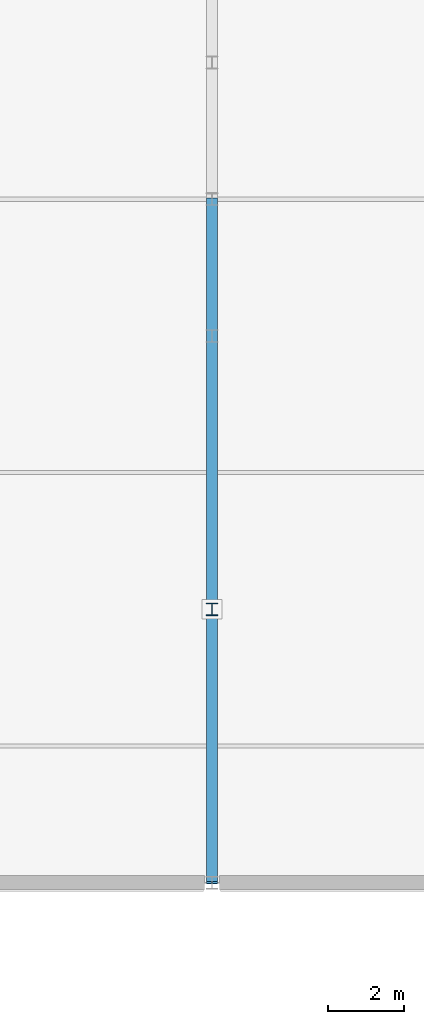
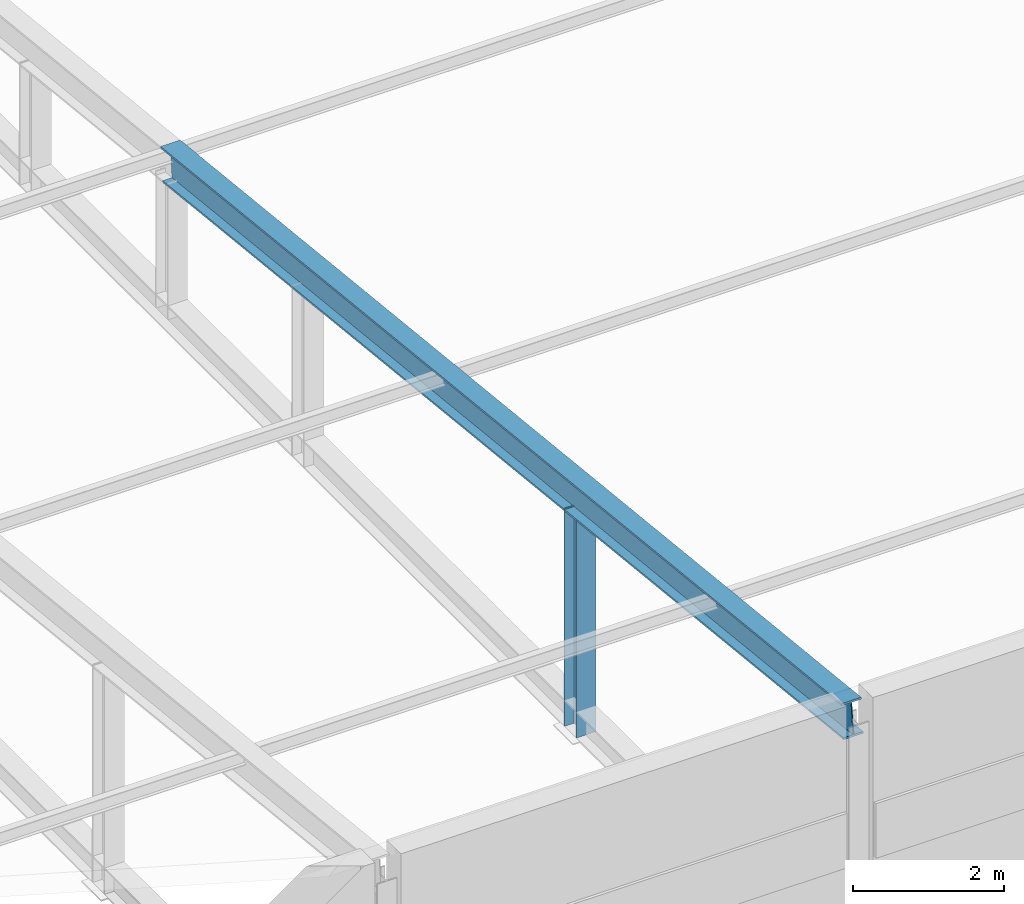
# One storey, part 22 of 103: 2 members.
"""IFC4 building model written with IfcOpenShell, lengths in metres."""

from ifc_helpers import new_model, si_unit, direction, frame, origin, origin_2d, place, context, subcontext, project, spatial, i_section, extrude, material, material_profile, profile_set, type_object, element, save


model = new_model("IFC4")

# Units and contexts
model_context = context("Model", 3, precision=1e-05, world=origin(), true_north=direction((0.0, 1.0)))
body_context = subcontext(model_context, "Body", "Model", "MODEL_VIEW")
ifc_project = project(units=[si_unit("LENGTHUNIT", "METRE"), si_unit("AREAUNIT", "SQUARE_METRE"), si_unit("VOLUMEUNIT", "CUBIC_METRE"), si_unit("PLANEANGLEUNIT", "RADIAN"), si_unit("MASSUNIT", "GRAM", prefix="KILO")], contexts=[model_context])

# Site, building, storey
site_placement = place(None, origin())
site = spatial("IfcSite", under=ifc_project, at=site_placement, CompositionType="ELEMENT")
building_placement = place(site_placement, origin())
building = spatial("IfcBuilding", under=site, at=building_placement, Name="Thalmaran Polytechnic", CompositionType="ELEMENT")
storey_placement = place(building_placement, frame((0.0, 0.0, 14.39990234375)))
storey = spatial("IfcBuildingStorey", under=building, at=storey_placement, Name="L03", CompositionType="ELEMENT", Elevation=14.39990234375)

# Members
ifc_material = material(Name="Steel S355", Category="steel")
ifc_material_profile_1 = material_profile(ifc_material, i_section(OverallWidth=0.300048828125, OverallDepth=0.550048828125, WebThickness=0.014892578125, FlangeThickness=0.029052734375, at=origin_2d()), Name="HEB 550")
ifc_profile_set_1 = profile_set([ifc_material_profile_1], Name="Steel S355")
member_type_1 = type_object("IfcMemberType", Name="MB-RAF1", PredefinedType="RAFTER", material=ifc_profile_set_1)
member_1_placement = place(storey_placement, frame((86.39990234375, 0.0, 4.550048828125), z_axis=(0.0, 0.994329747654, -0.10634073975), x_axis=(-1.0, 0.0, 0.0)))
element("IfcMember", 1, at=member_1_placement, inside=storey, type_object=member_type_1, Name="Lecture Raked Roof Rafter South G12", PredefinedType="RAFTER", context=body_context, shape_type="SweptSolid", body=[
    extrude(i_section(OverallWidth=0.300048828125, OverallDepth=0.550048828125, WebThickness=0.014892578125, FlangeThickness=0.029052734375, at=origin_2d()), origin(), (0.0, 0.0, 1.0), 18.1025390625),
])
ifc_material_profile_2 = material_profile(ifc_material, i_section(OverallWidth=0.300048828125, OverallDepth=0.330078125, WebThickness=0.009521484375, FlangeThickness=0.0166015625, at=origin_2d()), Name="HEA 340")
ifc_profile_set_2 = profile_set([ifc_material_profile_2], Name="Steel S355")
member_type_2 = type_object("IfcMemberType", Name="MB-TRS1", PredefinedType="STRUT", material=ifc_profile_set_2)
member_2_placement = place(storey_placement, frame((86.39990234375, 7.199951171875, 0.02001953125), z_axis=(0.0, 0.0, 1.0), x_axis=(1.0, 0.0, 0.0)))
element("IfcMember", 2, at=member_2_placement, inside=storey, type_object=member_type_2, Name="Lecture Truss Web Strut G12-7", PredefinedType="STRUT", context=body_context, shape_type="SweptSolid", body=[
    extrude(i_section(OverallWidth=0.300048828125, OverallDepth=0.330078125, WebThickness=0.009521484375, FlangeThickness=0.0166015625, at=origin_2d()), origin(), (0.0, 0.0, 1.0), 3.510009765625),
])

save(model, "model.ifc")
